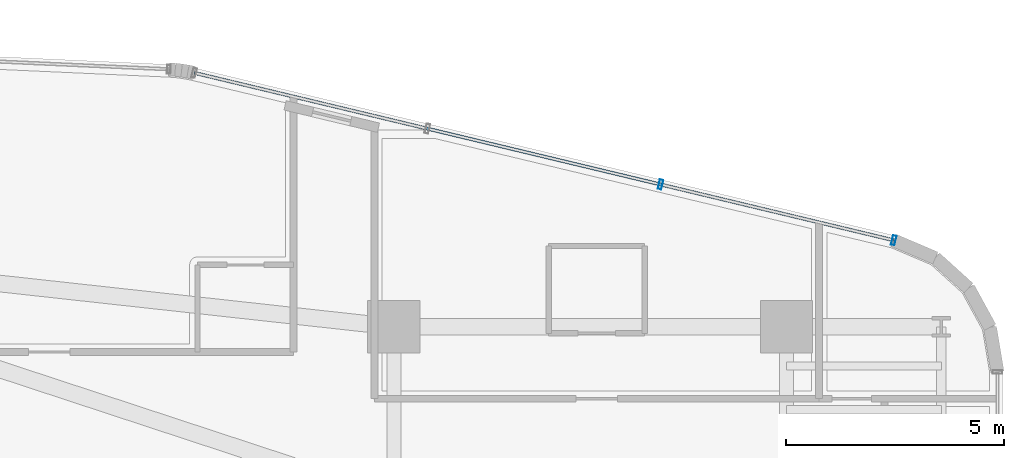
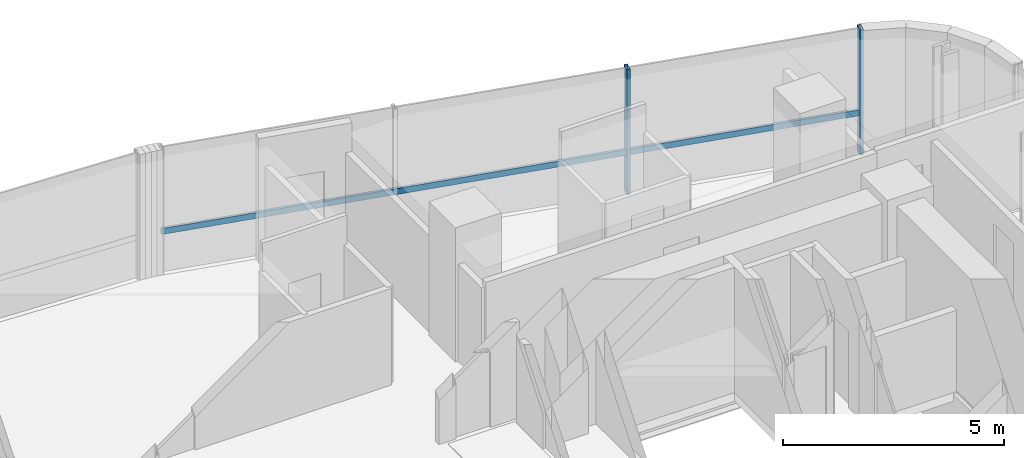
# One storey, part 23 of 35: 3 members, 1 element without a shape of its own.
"""IFC4 building model written with IfcOpenShell, lengths in metres."""

from ifc_helpers import new_model, si_unit, direction, frame, origin, origin_2d, place, context, subcontext, project, spatial, hollow_rectangle, extrude, source, transform, mapped, material, material_profile, profile_set, type_object, element, aggregate, save


model = new_model("IFC4")

# Units and contexts
model_context = context("Model", 3, precision=1e-05, world=origin(), true_north=direction((0.0, 1.0)))
body_context = subcontext(model_context, "Body", "Model", "MODEL_VIEW")
ifc_project = project(units=[si_unit("LENGTHUNIT", "METRE"), si_unit("AREAUNIT", "SQUARE_METRE"), si_unit("VOLUMEUNIT", "CUBIC_METRE"), si_unit("PLANEANGLEUNIT", "RADIAN"), si_unit("MASSUNIT", "GRAM", prefix="KILO")], contexts=[model_context])

# Site, building, storey
site_placement = place(None, origin())
site = spatial("IfcSite", under=ifc_project, at=site_placement, CompositionType="ELEMENT")
building_placement = place(site_placement, origin())
building = spatial("IfcBuilding", under=site, at=building_placement, Name="Valdorenza Pilgrim Sanctuary Tower", CompositionType="ELEMENT")
storey_placement = place(building_placement, frame((0.0, 0.0, 113.10009765625)))
storey = spatial("IfcBuildingStorey", under=building, at=storey_placement, Name="L28", CompositionType="ELEMENT", Elevation=113.10009765625)

# Curtain wall, members
ifc_material_1 = material(Name="Curtain-wall IGU glazing", Category="glass")
curtain_wall_type = type_object("IfcCurtainWallType", Name="CW-SYS-03", PredefinedType="NOTDEFINED", material=ifc_material_1)
curtain_wall_placement = place(storey_placement, origin())
curtain_wall = element("IfcCurtainWall", 1, at=curtain_wall_placement, inside=storey, type_object=curtain_wall_type, Name="L28 Curtain Wall CW-L28-1-16", PredefinedType="NOTDEFINED")
ifc_material_2 = material(Name="Anodised aluminium AW-6060", Category="aluminium")
ifc_material_profile_1 = material_profile(ifc_material_2, hollow_rectangle(XDim=0.0849609375, YDim=0.219970703125, WallThickness=0.0048828125, at=origin_2d()), Name="ALU-M 220x85x5")
ifc_profile_set_1 = profile_set([ifc_material_profile_1], Name="Anodised aluminium AW-6060")
member_type_1 = type_object("IfcMemberType", Name="CW-MUL-03", PredefinedType="MULLION", material=ifc_profile_set_1)
shared_shape_1 = source(origin(), body_context, "Body", "SweptSolid", [
    extrude(hollow_rectangle(XDim=0.0849609375, YDim=0.219970703125, WallThickness=0.0048828125, at=origin_2d()), origin(), (0.0, 0.0, 1.0), 3.4599609375),
])
member_1_placement = place(storey_placement, frame((21.964111328125, 16.7626953125, 0.0), z_axis=(0.0, 0.0, 1.0), x_axis=(0.972528596343, -0.232783438617, 0.0)))
member_1 = element("IfcMember", 2, at=member_1_placement, type_object=member_type_1, Name="CW-L28-1-16 Mullion 3", PredefinedType="MULLION", context=body_context, shape_type="MappedRepresentation", body=[
    mapped(shared_shape_1, transform((0.0, 0.0, 0.0), x_axis=(1.0, 0.0, 0.0), y_axis=(0.0, 1.0, 0.0), z_axis=(0.0, 0.0, 1.0), scale=1.0)),
])
member_2_placement = place(storey_placement, frame((27.310302734375, 15.48291015625, 0.0), z_axis=(0.0, 0.0, 1.0), x_axis=(0.972528596343, -0.232783438617, 0.0)))
member_2 = element("IfcMember", 3, at=member_2_placement, type_object=member_type_1, Name="CW-L28-1-16 Mullion 4", PredefinedType="MULLION", context=body_context, shape_type="MappedRepresentation", body=[
    mapped(shared_shape_1, transform((0.0, 0.0, 0.0), x_axis=(1.0, 0.0, 0.0), y_axis=(0.0, 1.0, 0.0), z_axis=(0.0, 0.0, 1.0), scale=1.0)),
])
ifc_material_profile_2 = material_profile(ifc_material_2, hollow_rectangle(XDim=0.074951171875, YDim=0.159912109375, WallThickness=0.00390625, at=origin_2d()), Name="ALU-T 160x75x4")
ifc_profile_set_2 = profile_set([ifc_material_profile_2], Name="Anodised aluminium AW-6060")
member_type_2 = type_object("IfcMemberType", Name="CW-TRN-03", PredefinedType="USERDEFINED", material=ifc_profile_set_2)
shared_shape_2 = source(origin(), body_context, "Body", "SweptSolid", [
    extrude(hollow_rectangle(XDim=0.074951171875, YDim=0.159912109375, WallThickness=0.00390625, at=origin_2d()), origin(), (0.0, 0.0, 1.0), 16.491943359375),
])
member_3_placement = place(storey_placement, frame((11.271484375, 19.322021484375, 1.119873046875), z_axis=(0.972527548122, -0.232787817859, 0.0), x_axis=(0.232787817859, 0.972527548122, 0.0)))
member_3 = element("IfcMember", 4, at=member_3_placement, type_object=member_type_2, Name="CW-L28-1-16 Transom 1", ObjectType="TRANSOM", PredefinedType="USERDEFINED", context=body_context, shape_type="MappedRepresentation", body=[
    mapped(shared_shape_2, transform((0.0, 0.0, 0.0), x_axis=(1.0, 0.0, 0.0), y_axis=(0.0, 1.0, 0.0), z_axis=(0.0, 0.0, 1.0), scale=1.0)),
])
aggregate(curtain_wall, [member_1, member_2, member_3])

save(model, "model.ifc")
